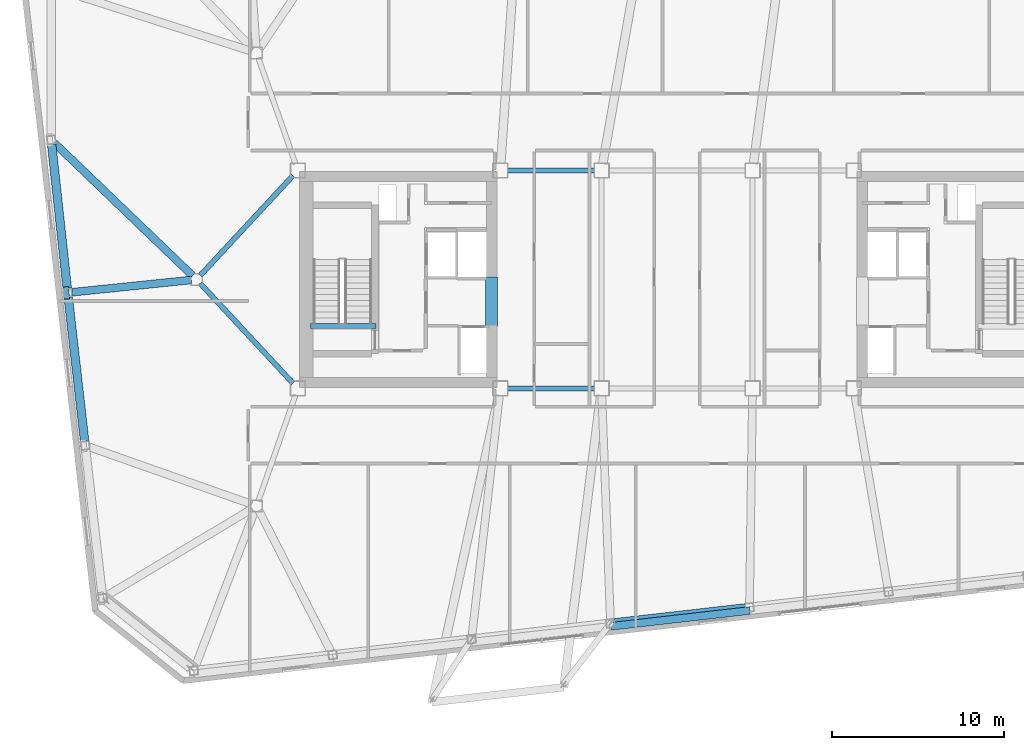
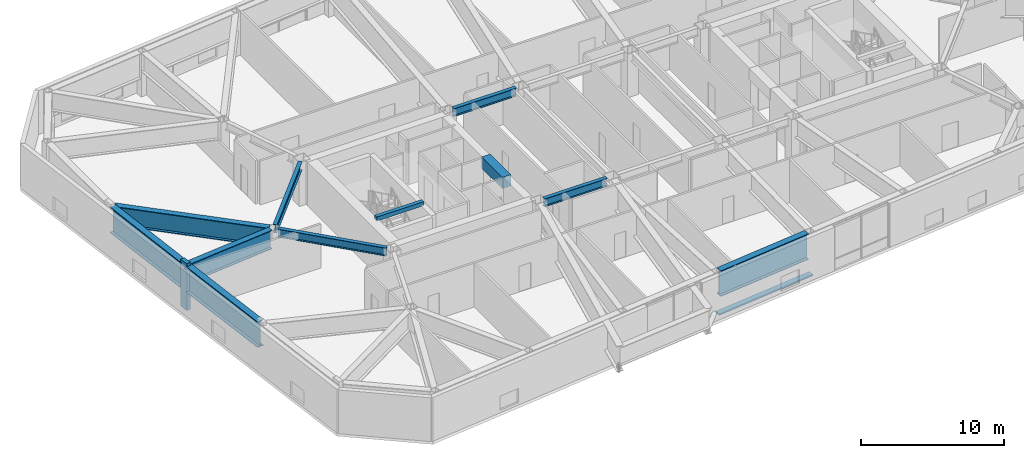
# One storey, part 5 of 20: 11 beams, 2 members.
"""IFC4 building model written with IfcOpenShell, lengths in metres."""

import ifcopenshell
import ifcopenshell.guid

model = None  # the IFC model being written
_history = None  # IfcOwnerHistory: only IFC2X3 demands one
_inside = {}  # id of a spatial element -> (the spatial element, [elements in it])
_under = {}  # id of a project, library or spatial element -> (it, [spatial elements below it])
_declared = {}  # id of a project -> (the project, [libraries it declares])
_typed = {}  # id of a type object -> (the type object, [elements of that type])
_made_of = {}  # id of a material, layer set ... -> (it, [elements and type objects made of it])


def new_model(schema):
    """Start an empty IFC model of exactly this schema.

    Asked for "IFC4X3", IfcOpenShell would pick the latest addendum, in which some entities
    have other attributes; the version numbers below select the first issue.
    IFC2X3 requires an IfcOwnerHistory on every rooted entity: one is made here for all.
    """
    global model, _history
    if schema == "IFC4X3":
        model = ifcopenshell.file(schema_version=(4, 3, 0, 0))
    else:
        model = ifcopenshell.file(schema=schema)
    _inside.clear()
    _under.clear()
    _declared.clear()
    _typed.clear()
    _made_of.clear()
    _history = None
    if model.schema == "IFC2X3":
        org = make("IfcOrganization", Name="unknown")
        user = make(
            "IfcPersonAndOrganization",
            ThePerson=make("IfcPerson", FamilyName="unknown"),
            TheOrganization=org,
        )
        app = make(
            "IfcApplication",
            ApplicationDeveloper=org,
            Version="unknown",
            ApplicationFullName="unknown",
            ApplicationIdentifier="unknown",
        )
        _history = make(
            "IfcOwnerHistory",
            OwningUser=user,
            OwningApplication=app,
            ChangeAction="ADDED",
            CreationDate=0,
        )
    return model


def make(cls, **values):
    """One entity of the class cls with the attributes given. An attribute that is None is left unset."""
    return model.create_entity(
        cls, **{name: value for name, value in values.items() if value is not None}
    )


def rooted(cls, **values):
    """An entity with a GlobalId (a new one), such as an element, a storey or a relation."""
    return make(cls, GlobalId=ifcopenshell.guid.new(), OwnerHistory=_history, **values)


def si_unit(unit_type, name, prefix=None):
    """IfcSIUnit, for example si_unit("LENGTHUNIT", "METRE", prefix="MILLI")."""
    return make("IfcSIUnit", UnitType=unit_type, Prefix=prefix, Name=name)


def assignment(units):
    """IfcUnitAssignment: the units of a project."""
    return None if units is None else make("IfcUnitAssignment", Units=units)


def point(xyz):
    """IfcCartesianPoint."""
    return None if xyz is None else make("IfcCartesianPoint", Coordinates=xyz)


def direction(xyz):
    """IfcDirection."""
    return None if xyz is None else make("IfcDirection", DirectionRatios=xyz)


def frame(location, z_axis=None, x_axis=None):
    """IfcAxis2Placement3D, a coordinate frame: its origin and axes. An axis left out is left unset."""
    return make(
        "IfcAxis2Placement3D",
        Location=point(location),
        Axis=direction(z_axis),
        RefDirection=direction(x_axis),
    )


def frame_2d(location, x_axis=None):
    """IfcAxis2Placement2D, a coordinate frame in the plane: its origin and x axis."""
    return make(
        "IfcAxis2Placement2D", Location=point(location), RefDirection=direction(x_axis)
    )


def origin():
    """The frame at (0, 0, 0) with its axes left unset."""
    return frame((0.0, 0.0, 0.0))


def origin_2d():
    """The frame at (0, 0) in the plane with its x axis left unset."""
    return frame_2d((0.0, 0.0))


def place(relative_to, where):
    """IfcLocalPlacement: puts the frame where relative to a parent placement (None: the world)."""
    return make(
        "IfcLocalPlacement", PlacementRelTo=relative_to, RelativePlacement=where
    )


def context(
    kind, dimensions, precision=None, world=None, true_north=None, identifier=None
):
    """IfcGeometricRepresentationContext, for example the 3D "Model" context."""
    return make(
        "IfcGeometricRepresentationContext",
        ContextIdentifier=identifier,
        ContextType=kind,
        CoordinateSpaceDimension=dimensions,
        Precision=precision,
        WorldCoordinateSystem=world,
        TrueNorth=true_north,
    )


def subcontext(parent, identifier, kind, view, scale=None):
    """IfcGeometricRepresentationSubContext, for example "Body" below "Model"."""
    return make(
        "IfcGeometricRepresentationSubContext",
        ContextIdentifier=identifier,
        ContextType=kind,
        ParentContext=parent,
        TargetScale=scale,
        TargetView=view,
    )


def project(units=None, contexts=None):
    """IfcProject with its units and contexts."""
    return rooted(
        "IfcProject",
        Name="project",
        RepresentationContexts=contexts,
        UnitsInContext=assignment(units),
    )


def spatial(cls, under=None, at=None, **own):
    """A site, building, storey or space (cls), placed at a placement, below another one or the project."""
    s = rooted(cls, ObjectPlacement=at, **own)
    if under is not None:
        _under.setdefault(under.id(), (under, []))[1].append(s)
    return s


def profile(cls, at=None, kind="AREA", **sizes):
    """A parametric profile (cls). Its sizes go by their IFC names, for example OverallWidth=200.0."""
    return make(cls, ProfileType=kind, Position=at, **sizes)


def rectangle(**sizes):
    """IfcRectangleProfileDef."""
    return profile("IfcRectangleProfileDef", **sizes)


def i_section(**sizes):
    """IfcIShapeProfileDef."""
    return profile("IfcIShapeProfileDef", **sizes)


def extrude(swept, where, along, depth):
    """IfcExtrudedAreaSolid: the profile swept, set in the frame where, extruded along a direction by depth."""
    return make(
        "IfcExtrudedAreaSolid",
        SweptArea=swept,
        Position=where,
        ExtrudedDirection=direction(along),
        Depth=depth,
    )


def shape(context_of_items, identifier, shape_type, items):
    """IfcShapeRepresentation: the items that make up one representation, for example the "Body"."""
    return make(
        "IfcShapeRepresentation",
        ContextOfItems=context_of_items,
        RepresentationIdentifier=identifier,
        RepresentationType=shape_type,
        Items=items,
    )


def material(Name=None, Category=None):
    """IfcMaterial."""
    return make("IfcMaterial", Name=Name, Category=Category)


def material_profile(
    of_material, cross_section, Name=None, Category=None, Priority=None
):
    """IfcMaterialProfile: a cross section and its material."""
    return make(
        "IfcMaterialProfile",
        Name=Name,
        Material=of_material,
        Profile=cross_section,
        Priority=Priority,
        Category=Category,
    )


def profile_set(profiles, Name=None, composite=None):
    """IfcMaterialProfileSet."""
    return make(
        "IfcMaterialProfileSet",
        Name=Name,
        MaterialProfiles=profiles,
        CompositeProfile=composite,
    )


def made_of(thing, what):
    """Note that an element or type object is made of a material, layer set ...; save() writes the relation."""
    if what is not None:
        _made_of.setdefault(what.id(), (what, []))[1].append(thing)
    return thing


def type_object(cls, material=None, **own):
    """A type object (cls), such as IfcWallType, which elements share."""
    return made_of(rooted(cls, **own), material)


def element(
    cls,
    number,
    at=None,
    inside=None,
    cuts=None,
    type_object=None,
    material=None,
    context=None,
    identifier="Body",
    shape_type=None,
    held_by="IfcProductDefinitionShape",
    body=None,
    shapes=None,
    **own,
):
    """One element of the class cls, such as IfcWall. Its Tag is "e" and its number.

    at: its placement. inside: the storey or other place that contains it. cuts: it is an
    opening in that element (IfcRelVoidsElement). A single representation is given by context,
    identifier, shape_type and body (its items); several are given by shapes. held_by: the class
    of the entity that holds the representations. save() writes the other relations.
    """
    e = rooted(cls, Tag="e%d" % number, ObjectPlacement=at, **own)
    if body is not None:
        shapes = [shape(context, identifier, shape_type, body)]
    if shapes is not None:
        e.Representation = make(held_by, Representations=shapes)
    if inside is not None:
        _inside.setdefault(inside.id(), (inside, []))[1].append(e)
    if cuts is not None:
        rooted(
            "IfcRelVoidsElement", RelatingBuildingElement=cuts, RelatedOpeningElement=e
        )
    if type_object is not None:
        _typed.setdefault(type_object.id(), (type_object, []))[1].append(e)
    return made_of(e, material)


def aggregate(whole, parts):
    """IfcRelAggregates: a whole, such as a stair, and the parts it consists of."""
    return rooted("IfcRelAggregates", RelatingObject=whole, RelatedObjects=parts)


def save(model, path):
    """Write the relations noted so far, then the file.

    IfcRelAggregates (storeys below a building ...), IfcRelContainedInSpatialStructure (elements
    in a storey), IfcRelDefinesByType, IfcRelAssociatesMaterial and IfcRelDeclares: one each for
    every whole, place, type object, material and project.
    """
    for whole, parts in _under.values():
        aggregate(whole, parts)
    for where, things in _inside.values():
        rooted(
            "IfcRelContainedInSpatialStructure",
            RelatedElements=things,
            RelatingStructure=where,
        )
    for kind, things in _typed.values():
        rooted("IfcRelDefinesByType", RelatedObjects=things, RelatingType=kind)
    for what, things in _made_of.values():
        rooted("IfcRelAssociatesMaterial", RelatedObjects=things, RelatingMaterial=what)
    for by, libraries in _declared.values():
        rooted("IfcRelDeclares", RelatingContext=by, RelatedDefinitions=libraries)
    model.write(path)


model = new_model("IFC4")

# Units and contexts
model_context = context("Model", 3, precision=1e-05, world=origin(), true_north=direction((0.0, 1.0)))
body_context = subcontext(model_context, "Body", "Model", "MODEL_VIEW")
ifc_project = project(units=[si_unit("LENGTHUNIT", "METRE"), si_unit("AREAUNIT", "SQUARE_METRE"), si_unit("VOLUMEUNIT", "CUBIC_METRE"), si_unit("PLANEANGLEUNIT", "RADIAN"), si_unit("MASSUNIT", "GRAM", prefix="KILO")], contexts=[model_context])

# Site, building, storey
site_placement = place(None, origin())
site = spatial("IfcSite", under=ifc_project, at=site_placement, CompositionType="ELEMENT")
building_placement = place(site_placement, origin())
building = spatial("IfcBuilding", under=site, at=building_placement, Name="Tavrogorsk Clinical Tower", CompositionType="ELEMENT")
storey_placement = place(building_placement, frame((0.0, 0.0, 214.199951171875)))
storey = spatial("IfcBuildingStorey", under=building, at=storey_placement, Name="L49", CompositionType="ELEMENT", Elevation=214.199951171875)

# Member
ifc_material_1 = material(Name="Anodised aluminium alloy AW-6063", Category="aluminium")
ifc_material_profile_1 = material_profile(ifc_material_1, rectangle(XDim=0.449951171875, YDim=0.1201171875, at=origin_2d()), Name="ALU-SUNSHADE-450x120")
ifc_profile_set_1 = profile_set([ifc_material_profile_1], Name="Anodised aluminium alloy AW-6063")
member_type_1 = type_object("IfcMemberType", Name="ChicagoSunshade_450x120", PredefinedType="USERDEFINED", material=ifc_profile_set_1)
member_1_placement = place(storey_placement, frame((-3.855712890625, -20.214111328125, 0.179931640625), z_axis=(0.99356960656, 0.11322295227, 0.0), x_axis=(-0.11322295227, 0.99356960656, 0.0)))
element("IfcMember", 1, at=member_1_placement, inside=storey, type_object=member_type_1, Name="L49 South Aluminium Sunshade S4", ObjectType="SUNSHADE", PredefinedType="USERDEFINED", context=body_context, shape_type="SweptSolid", body=[
    extrude(rectangle(XDim=0.449951171875, YDim=0.1201171875, at=origin_2d()), origin(), (0.0, 0.0, 1.0), 8.148681640625),
])

# Beam
ifc_material_2 = material(Name="Concrete B80", Category="concrete")
ifc_material_profile_2 = material_profile(ifc_material_2, rectangle(XDim=0.699951171875, YDim=0.949951171875, at=origin_2d()), Name="RC-CB-700x950")
ifc_profile_set_2 = profile_set([ifc_material_profile_2], Name="Concrete B80")
beam_type_1 = type_object("IfcBeamType", Name="CouplingBeam_RC700x950", PredefinedType="LINTEL", material=ifc_profile_set_2)
beam_1_placement = place(storey_placement, frame((-10.800048828125, -2.75, 3.26513671875), z_axis=(0.0, 1.0, 0.0), x_axis=(-1.0, 0.0, 0.0)))
element("IfcBeam", 2, at=beam_1_placement, inside=storey, type_object=beam_type_1, Name="L49 Core West Coupling Beam", PredefinedType="LINTEL", context=body_context, shape_type="SweptSolid", body=[
    extrude(rectangle(XDim=0.699951171875, YDim=0.949951171875, at=origin_2d()), origin(), (0.0, 0.0, 1.0), 2.89990234375),
])

# Member
ifc_material_3 = material(Name="Precast concrete B45 with limestone cladding", Category="masonry")
ifc_material_profile_3 = material_profile(ifc_material_3, rectangle(XDim=0.320068359375, YDim=0.719970703125, at=origin_2d()), Name="LIMESTONE-FIN-320x720")
ifc_profile_set_3 = profile_set([ifc_material_profile_3], Name="Precast concrete B45 with limestone cladding")
member_type_2 = type_object("IfcMemberType", Name="LimestonePleatFin_320x720", PredefinedType="USERDEFINED", material=ifc_profile_set_3)
member_2_placement = place(storey_placement, frame((-35.585205078125, -0.781005859375, 0.0), z_axis=(0.0, 0.0, 1.0), x_axis=(0.993571855677, 0.113203213768, 0.0)))
element("IfcMember", 3, at=member_2_placement, inside=storey, type_object=member_type_2, Name="L49 W Pleated Stone Fin 2", ObjectType="FIN", PredefinedType="USERDEFINED", context=body_context, shape_type="SweptSolid", body=[
    extrude(rectangle(XDim=0.320068359375, YDim=0.719970703125, at=origin_2d()), origin(), (0.0, 0.0, 1.0), 4.0),
])

# Beams
ifc_material_4 = material(Name="Structural steel S390", Category="steel")
ifc_material_profile_4 = material_profile(ifc_material_4, i_section(OverallWidth=0.300048828125, OverallDepth=0.699951171875, WebThickness=0.01708984375, FlangeThickness=0.028076171875, at=origin_2d()), Name="B-700x300x17x28")
ifc_profile_set_4 = profile_set([ifc_material_profile_4], Name="Structural steel S390")
beam_type_2 = type_object("IfcBeamType", Name="PrimaryGirder_B700", PredefinedType="USERDEFINED", material=ifc_profile_set_4)
for number, where, z_axis, x_axis, name in (
    (4, (-9.889892578125, -6.35009765625, 3.39013671875), (1.0, 0.0, 0.0), (0.0, 1.0, 0.0), "L49 Primary Spine Girder MG-01"),
    (5, (-9.889892578125, 6.35009765625, 3.39013671875), (1.0, 0.0, 0.0), (0.0, 1.0, 0.0), "L49 Primary Spine Girder MG-02"),
):
    element("IfcBeam", number, at=place(storey_placement, frame(where, z_axis=z_axis, x_axis=x_axis)), inside=storey, type_object=beam_type_2, Name=name, ObjectType="GIRDER", PredefinedType="USERDEFINED", context=body_context, shape_type="SweptSolid", body=[
        extrude(i_section(OverallWidth=0.300048828125, OverallDepth=0.699951171875, WebThickness=0.01708984375, FlangeThickness=0.028076171875, at=origin_2d()), origin(), (0.0, 0.0, 1.0), 5.079833984375),
    ])
for number, where, z_axis, x_axis, name in (
    (6, (-27.7890625, -0.22705078125, 3.39013671875), (0.680673750312, -0.732586681312, 0.0), (0.732586681312, 0.680673750312, 0.0), "L49 Spine Link Girder OPG-5"),
    (7, (-27.7890625, 0.22705078125, 3.39013671875), (0.680673750312, 0.732586681312, 0.0), (-0.732586681312, 0.680673750312, 0.0), "L49 Spine Link Girder OPG-6"),
):
    element("IfcBeam", number, at=place(storey_placement, frame(where, z_axis=z_axis, x_axis=x_axis)), inside=storey, type_object=beam_type_2, Name=name, ObjectType="GIRDER", PredefinedType="USERDEFINED", context=body_context, shape_type="SweptSolid", body=[
        extrude(i_section(OverallWidth=0.300048828125, OverallDepth=0.699951171875, WebThickness=0.01708984375, FlangeThickness=0.028076171875, at=origin_2d()), origin(), (0.0, 0.0, 1.0), 7.947998046875),
    ])
ifc_material_5 = material(Name="Concrete B60", Category="concrete")
ifc_material_profile_5 = material_profile(ifc_material_5, rectangle(XDim=0.300048828125, YDim=0.35009765625, at=origin_2d()), Name="RC-SHB-300x350")
ifc_profile_set_5 = profile_set([ifc_material_profile_5], Name="Concrete B60")
beam_type_3 = type_object("IfcBeamType", Name="StairHeaderBeam_RC300x350", PredefinedType="BEAM", material=ifc_profile_set_5)
beam_2_placement = place(storey_placement, frame((-21.35009765625, -2.719970703125, 3.824951171875), z_axis=(1.0, 0.0, 0.0), x_axis=(0.0, 1.0, 0.0)))
element("IfcBeam", 8, at=beam_2_placement, inside=storey, type_object=beam_type_3, Name="L50 ST-W Landing Header Beam", PredefinedType="BEAM", context=body_context, shape_type="SweptSolid", body=[
    extrude(rectangle(XDim=0.300048828125, YDim=0.35009765625, at=origin_2d()), origin(), (0.0, 0.0, 1.0), 3.800048828125),
])
ifc_material_6 = material(Name="Structural steel S440", Category="steel")
ifc_material_profile_6 = material_profile(ifc_material_6, i_section(OverallWidth=0.449951171875, OverallDepth=1.60009765625, WebThickness=0.031982421875, FlangeThickness=0.050048828125, at=origin_2d()), Name="DK-1600x450x32x50")
ifc_profile_set_6 = profile_set([ifc_material_profile_6], Name="Structural steel S440")
beam_type_4 = type_object("IfcBeamType", Name="TransferGirder_DK1600", PredefinedType="USERDEFINED", material=ifc_profile_set_6)
beam_3_placement = place(storey_placement, frame((-28.2236328125, 0.214599609375, 2.93994140625), z_axis=(-0.721413519982, 0.692504536582, 0.0), x_axis=(-0.692504536582, -0.721413519982, 0.0)))
element("IfcBeam", 9, at=beam_3_placement, inside=storey, type_object=beam_type_4, Name="L49 Radial Floor Beam W2", ObjectType="GIRDER", PredefinedType="USERDEFINED", context=body_context, shape_type="SweptSolid", body=[
    extrude(i_section(OverallWidth=0.449951171875, OverallDepth=1.60009765625, WebThickness=0.031982421875, FlangeThickness=0.050048828125, at=origin_2d()), origin(), (0.0, 0.0, 1.0), 11.1728515625),
])
beam_4_placement = place(storey_placement, frame((-28.308349609375, -0.03173828125, 2.93994140625), z_axis=(-0.994752624307, -0.102309415177, 0.0), x_axis=(0.102309415177, -0.994752624307, 0.0)))
element("IfcBeam", 10, at=beam_4_placement, inside=storey, type_object=beam_type_4, Name="L49 Radial Floor Beam W3", ObjectType="GIRDER", PredefinedType="USERDEFINED", context=body_context, shape_type="SweptSolid", body=[
    extrude(i_section(OverallWidth=0.449951171875, OverallDepth=1.60009765625, WebThickness=0.031982421875, FlangeThickness=0.050048828125, at=origin_2d()), origin(), (0.0, 0.0, 1.0), 6.9775390625),
])
ifc_material_7 = material(Name="Structural steel S440", Category="steel")
ifc_material_profile_7 = material_profile(ifc_material_7, i_section(OverallWidth=0.5, OverallDepth=2.199951171875, WebThickness=0.035888671875, FlangeThickness=0.054931640625, at=origin_2d()), Name="DK-2200x500x36x55")
ifc_profile_set_7 = profile_set([ifc_material_profile_7], Name="Structural steel S440")
beam_type_5 = type_object("IfcBeamType", Name="TransferGirder_DK2200", PredefinedType="USERDEFINED", material=ifc_profile_set_7)
beam_5_placement = place(storey_placement, frame((-3.619873046875, -20.006103515625, 2.64013671875), z_axis=(0.993568911788, 0.113229048956, 0.0), x_axis=(-0.113229048956, 0.993568911788, 0.0)))
element("IfcBeam", 11, at=beam_5_placement, inside=storey, type_object=beam_type_5, Name="L49 Perimeter Spandrel S4-S5", ObjectType="GIRDER", PredefinedType="USERDEFINED", context=body_context, shape_type="SweptSolid", body=[
    extrude(i_section(OverallWidth=0.5, OverallDepth=2.199951171875, WebThickness=0.035888671875, FlangeThickness=0.054931640625, at=origin_2d()), origin(), (0.0, 0.0, 1.0), 7.6328125),
])
beam_6_placement = place(storey_placement, frame((-36.442138671875, 7.8740234375, 2.64013671875), z_axis=(0.107655746314, -0.994188231818, 0.0), x_axis=(0.994188231818, 0.107655746314, 0.0)))
element("IfcBeam", 12, at=beam_6_placement, inside=storey, type_object=beam_type_5, Name="L49 Perimeter Spandrel W2-W3", ObjectType="GIRDER", PredefinedType="USERDEFINED", context=body_context, shape_type="SweptSolid", body=[
    extrude(i_section(OverallWidth=0.5, OverallDepth=2.199951171875, WebThickness=0.035888671875, FlangeThickness=0.054931640625, at=origin_2d()), origin(), (0.0, 0.0, 1.0), 8.4384765625),
])
beam_7_placement = place(storey_placement, frame((-35.4765625, -1.0283203125, 2.64013671875), z_axis=(0.113195129234, -0.99357277676, 0.0), x_axis=(0.99357277676, 0.113195129234, 0.0)))
element("IfcBeam", 13, at=beam_7_placement, inside=storey, type_object=beam_type_5, Name="L49 Perimeter Spandrel W3-W4", ObjectType="GIRDER", PredefinedType="USERDEFINED", context=body_context, shape_type="SweptSolid", body=[
    extrude(i_section(OverallWidth=0.5, OverallDepth=2.199951171875, WebThickness=0.035888671875, FlangeThickness=0.054931640625, at=origin_2d()), origin(), (0.0, 0.0, 1.0), 8.44384765625),
])

save(model, "model.ifc")
